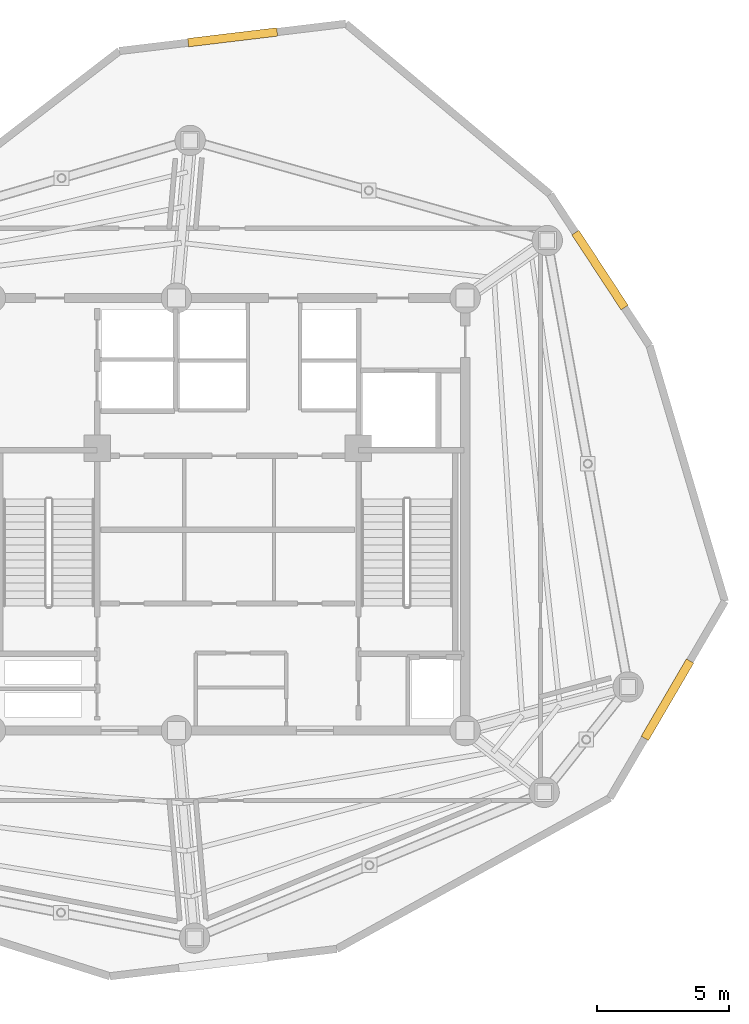
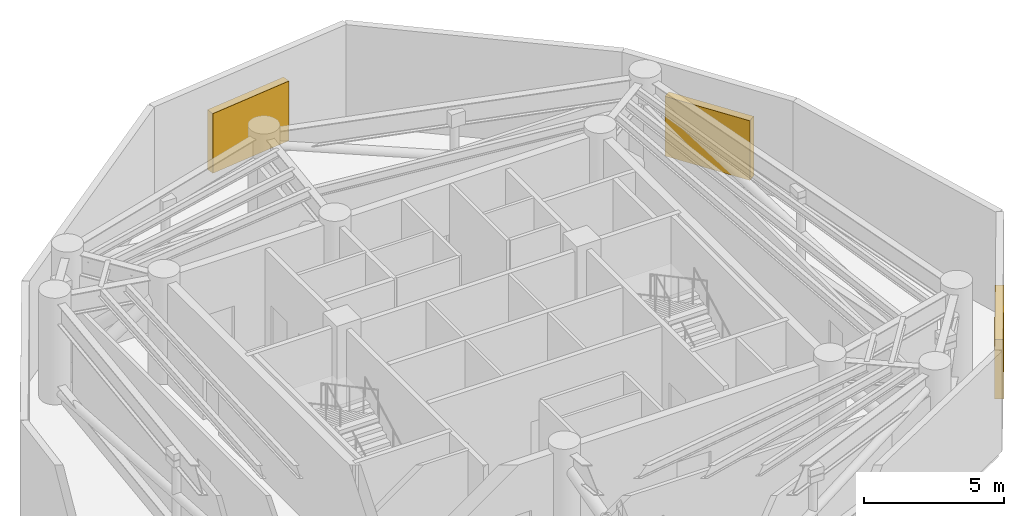
# One storey, part 8 of 8: 3 shading devices.
"""IFC4 building model written with IfcOpenShell, lengths in metres."""

from ifc_helpers import new_model, si_unit, direction, frame, origin, origin_with_axes, origin_2d, place, context, subcontext, project, spatial, rectangle, extrude, source, transform, mapped, material, layer, layer_set, type_object, element, save


model = new_model("IFC4")

# Units and contexts
model_context = context("Model", 3, precision=1e-05, world=origin(), true_north=direction((0.0, 1.0)))
body_context = subcontext(model_context, "Body", "Model", "MODEL_VIEW")
ifc_project = project(units=[si_unit("LENGTHUNIT", "METRE"), si_unit("AREAUNIT", "SQUARE_METRE"), si_unit("VOLUMEUNIT", "CUBIC_METRE"), si_unit("PLANEANGLEUNIT", "RADIAN"), si_unit("MASSUNIT", "GRAM", prefix="KILO")], contexts=[model_context])

# Site, building, storey
site_placement = place(None, origin())
site = spatial("IfcSite", under=ifc_project, at=site_placement, CompositionType="ELEMENT")
building_placement = place(site_placement, origin())
building = spatial("IfcBuilding", under=site, at=building_placement, Name="Karkom Vertical University and Central Library", CompositionType="ELEMENT")
storey_placement = place(building_placement, frame((0.0, 0.0, 268.75)))
storey = spatial("IfcBuildingStorey", under=building, at=storey_placement, Name="P80", CompositionType="ELEMENT", Elevation=268.75)

# Shading devices
ifc_material = material(Name="Powder-coated aluminium acoustic weather louvre", Category="aluminium")
ifc_layer = layer(ifc_material, 0.159912109375)
ifc_layer_set = layer_set([ifc_layer], Name="Powder-coated aluminium acoustic weather louvre")
shading_device_type = type_object("IfcShadingDeviceType", Name="ENV-SHD-LOUVRE", PredefinedType="JALOUSIE", material=ifc_layer_set)
shared_shape = source(origin_with_axes(), body_context, "Body", "SweptSolid", [
    extrude(rectangle(XDim=3.39990234375, YDim=0.320068359375, at=origin_2d()), origin(), (0.0, 0.0, 1.0), 2.60009765625),
])
for number, where, z_axis, x_axis, name in (
    (1, (45.16748046875, 19.472900390625, 0.39990234375), (0.0, 0.0, 1.0), (0.504527623815, 0.863395550607, 0.0), "Plant Level 80 Mechanical Acoustic Louvre 05"),
    (2, (42.609130859375, 35.760986328125, 0.39990234375), (0.0, 0.0, 1.0), (-0.548731032748, 0.835998955561, 0.0), "Plant Level 80 Mechanical Acoustic Louvre 07"),
    (3, (28.68310546875, 44.587158203125, 0.39990234375), (0.0, 0.0, 1.0), (-0.992840971329, -0.119443734243, 0.0), "Plant Level 80 Mechanical Acoustic Louvre 09"),
):
    element("IfcShadingDevice", number, at=place(storey_placement, frame(where, z_axis=z_axis, x_axis=x_axis)), inside=storey, type_object=shading_device_type, Name=name, PredefinedType="JALOUSIE", context=body_context, shape_type="MappedRepresentation", body=[
        mapped(shared_shape, transform((0.0, 0.0, 0.0), scale=1.0)),
    ])

save(model, "model.ifc")
